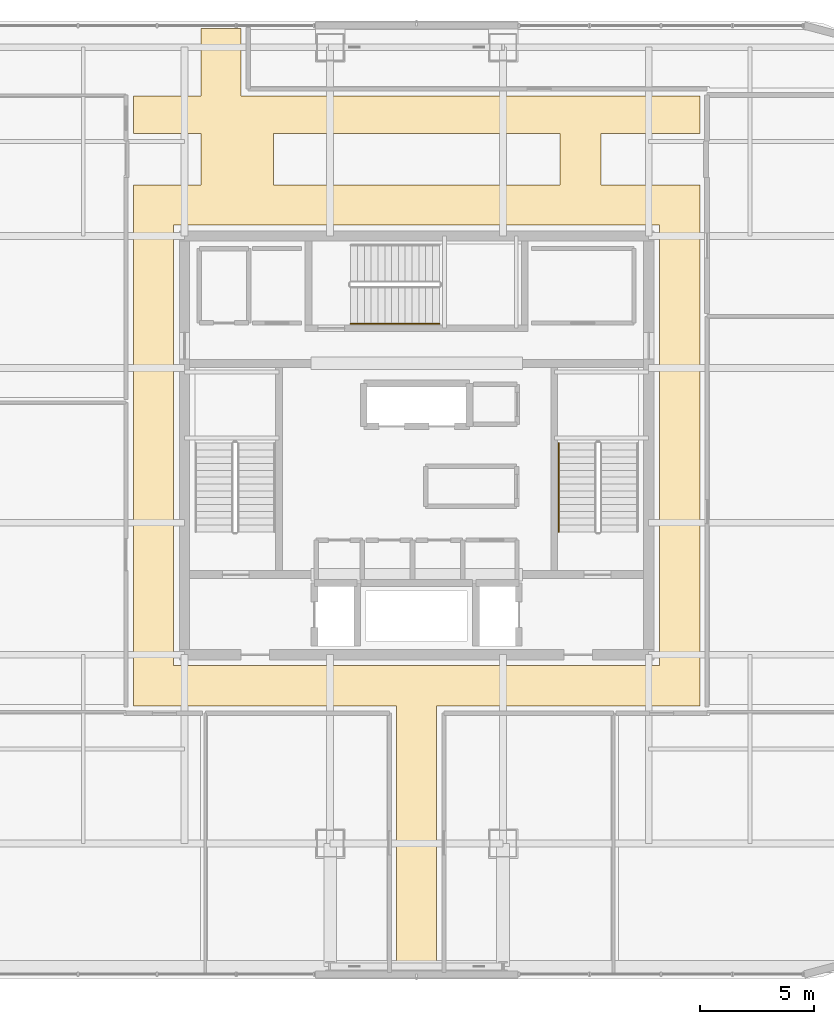
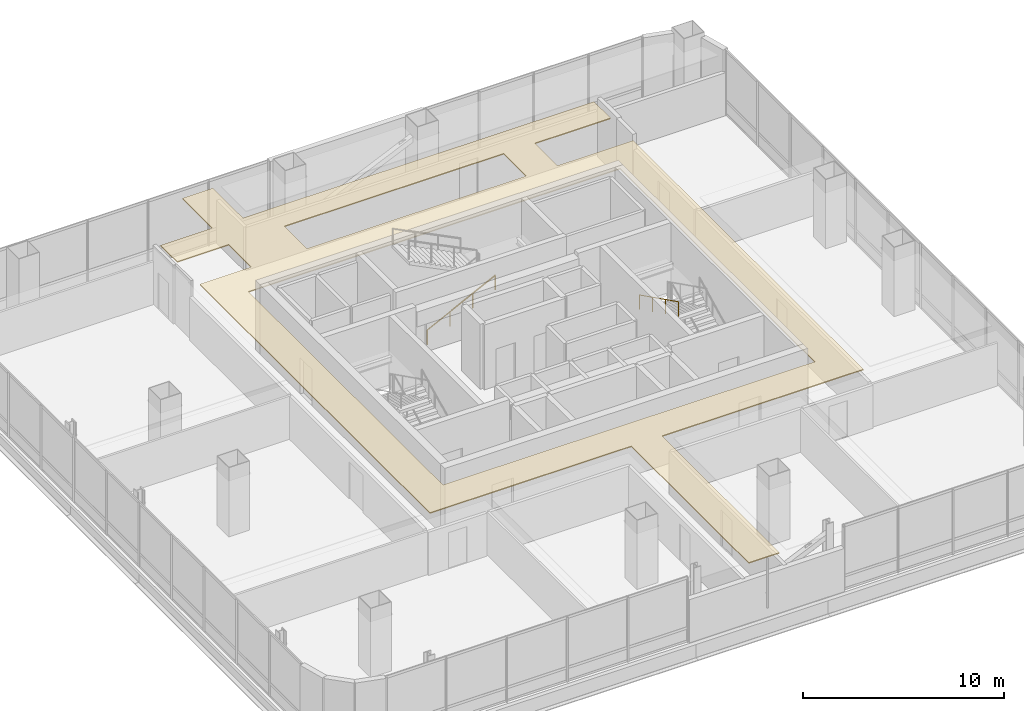
# One storey, part 42 of 46: 2 railings, 1 covering.
"""IFC4 building model written with IfcOpenShell, lengths in metres."""

import ifcopenshell
import ifcopenshell.guid

model = None  # the IFC model being written
_history = None  # IfcOwnerHistory: only IFC2X3 demands one
_inside = {}  # id of a spatial element -> (the spatial element, [elements in it])
_under = {}  # id of a project, library or spatial element -> (it, [spatial elements below it])
_declared = {}  # id of a project -> (the project, [libraries it declares])
_typed = {}  # id of a type object -> (the type object, [elements of that type])
_made_of = {}  # id of a material, layer set ... -> (it, [elements and type objects made of it])


def new_model(schema):
    """Start an empty IFC model of exactly this schema.

    Asked for "IFC4X3", IfcOpenShell would pick the latest addendum, in which some entities
    have other attributes; the version numbers below select the first issue.
    IFC2X3 requires an IfcOwnerHistory on every rooted entity: one is made here for all.
    """
    global model, _history
    if schema == "IFC4X3":
        model = ifcopenshell.file(schema_version=(4, 3, 0, 0))
    else:
        model = ifcopenshell.file(schema=schema)
    _inside.clear()
    _under.clear()
    _declared.clear()
    _typed.clear()
    _made_of.clear()
    _history = None
    if model.schema == "IFC2X3":
        org = make("IfcOrganization", Name="unknown")
        user = make(
            "IfcPersonAndOrganization",
            ThePerson=make("IfcPerson", FamilyName="unknown"),
            TheOrganization=org,
        )
        app = make(
            "IfcApplication",
            ApplicationDeveloper=org,
            Version="unknown",
            ApplicationFullName="unknown",
            ApplicationIdentifier="unknown",
        )
        _history = make(
            "IfcOwnerHistory",
            OwningUser=user,
            OwningApplication=app,
            ChangeAction="ADDED",
            CreationDate=0,
        )
    return model


def make(cls, **values):
    """One entity of the class cls with the attributes given. An attribute that is None is left unset."""
    return model.create_entity(
        cls, **{name: value for name, value in values.items() if value is not None}
    )


def rooted(cls, **values):
    """An entity with a GlobalId (a new one), such as an element, a storey or a relation."""
    return make(cls, GlobalId=ifcopenshell.guid.new(), OwnerHistory=_history, **values)


def si_unit(unit_type, name, prefix=None):
    """IfcSIUnit, for example si_unit("LENGTHUNIT", "METRE", prefix="MILLI")."""
    return make("IfcSIUnit", UnitType=unit_type, Prefix=prefix, Name=name)


def assignment(units):
    """IfcUnitAssignment: the units of a project."""
    return None if units is None else make("IfcUnitAssignment", Units=units)


def point(xyz):
    """IfcCartesianPoint."""
    return None if xyz is None else make("IfcCartesianPoint", Coordinates=xyz)


def direction(xyz):
    """IfcDirection."""
    return None if xyz is None else make("IfcDirection", DirectionRatios=xyz)


def frame(location, z_axis=None, x_axis=None):
    """IfcAxis2Placement3D, a coordinate frame: its origin and axes. An axis left out is left unset."""
    return make(
        "IfcAxis2Placement3D",
        Location=point(location),
        Axis=direction(z_axis),
        RefDirection=direction(x_axis),
    )


def frame_2d(location, x_axis=None):
    """IfcAxis2Placement2D, a coordinate frame in the plane: its origin and x axis."""
    return make(
        "IfcAxis2Placement2D", Location=point(location), RefDirection=direction(x_axis)
    )


def origin():
    """The frame at (0, 0, 0) with its axes left unset."""
    return frame((0.0, 0.0, 0.0))


def origin_2d():
    """The frame at (0, 0) in the plane with its x axis left unset."""
    return frame_2d((0.0, 0.0))


def place(relative_to, where):
    """IfcLocalPlacement: puts the frame where relative to a parent placement (None: the world)."""
    return make(
        "IfcLocalPlacement", PlacementRelTo=relative_to, RelativePlacement=where
    )


def context(
    kind, dimensions, precision=None, world=None, true_north=None, identifier=None
):
    """IfcGeometricRepresentationContext, for example the 3D "Model" context."""
    return make(
        "IfcGeometricRepresentationContext",
        ContextIdentifier=identifier,
        ContextType=kind,
        CoordinateSpaceDimension=dimensions,
        Precision=precision,
        WorldCoordinateSystem=world,
        TrueNorth=true_north,
    )


def subcontext(parent, identifier, kind, view, scale=None):
    """IfcGeometricRepresentationSubContext, for example "Body" below "Model"."""
    return make(
        "IfcGeometricRepresentationSubContext",
        ContextIdentifier=identifier,
        ContextType=kind,
        ParentContext=parent,
        TargetScale=scale,
        TargetView=view,
    )


def project(units=None, contexts=None):
    """IfcProject with its units and contexts."""
    return rooted(
        "IfcProject",
        Name="project",
        RepresentationContexts=contexts,
        UnitsInContext=assignment(units),
    )


def spatial(cls, under=None, at=None, **own):
    """A site, building, storey or space (cls), placed at a placement, below another one or the project."""
    s = rooted(cls, ObjectPlacement=at, **own)
    if under is not None:
        _under.setdefault(under.id(), (under, []))[1].append(s)
    return s


def polyline(points):
    """IfcPolyline through the points."""
    return make("IfcPolyline", Points=[point(p) for p in points])


def profile(cls, at=None, kind="AREA", **sizes):
    """A parametric profile (cls). Its sizes go by their IFC names, for example OverallWidth=200.0."""
    return make(cls, ProfileType=kind, Position=at, **sizes)


def circle(**sizes):
    """IfcCircleProfileDef."""
    return profile("IfcCircleProfileDef", **sizes)


def outline(outer, holes=None, kind="AREA"):
    """IfcArbitraryClosedProfileDef: a profile drawn as a closed curve; with holes, ...WithVoids."""
    if holes is None:
        return make("IfcArbitraryClosedProfileDef", ProfileType=kind, OuterCurve=outer)
    return make(
        "IfcArbitraryProfileDefWithVoids",
        ProfileType=kind,
        OuterCurve=outer,
        InnerCurves=holes,
    )


def extrude(swept, where, along, depth):
    """IfcExtrudedAreaSolid: the profile swept, set in the frame where, extruded along a direction by depth."""
    return make(
        "IfcExtrudedAreaSolid",
        SweptArea=swept,
        Position=where,
        ExtrudedDirection=direction(along),
        Depth=depth,
    )


def shape(context_of_items, identifier, shape_type, items):
    """IfcShapeRepresentation: the items that make up one representation, for example the "Body"."""
    return make(
        "IfcShapeRepresentation",
        ContextOfItems=context_of_items,
        RepresentationIdentifier=identifier,
        RepresentationType=shape_type,
        Items=items,
    )


def material(Name=None, Category=None):
    """IfcMaterial."""
    return make("IfcMaterial", Name=Name, Category=Category)


def layer(
    of_material, thickness, ventilated=None, Name=None, Category=None, Priority=None
):
    """IfcMaterialLayer: one layer of a wall or slab, of a material (None: an air gap)."""
    return make(
        "IfcMaterialLayer",
        Material=of_material,
        LayerThickness=thickness,
        IsVentilated=ventilated,
        Name=Name,
        Category=Category,
        Priority=Priority,
    )


def layer_set(layers, Name=None):
    """IfcMaterialLayerSet."""
    return make("IfcMaterialLayerSet", MaterialLayers=layers, LayerSetName=Name)


def made_of(thing, what):
    """Note that an element or type object is made of a material, layer set ...; save() writes the relation."""
    if what is not None:
        _made_of.setdefault(what.id(), (what, []))[1].append(thing)
    return thing


def type_object(cls, material=None, **own):
    """A type object (cls), such as IfcWallType, which elements share."""
    return made_of(rooted(cls, **own), material)


def element(
    cls,
    number,
    at=None,
    inside=None,
    cuts=None,
    type_object=None,
    material=None,
    context=None,
    identifier="Body",
    shape_type=None,
    held_by="IfcProductDefinitionShape",
    body=None,
    shapes=None,
    **own,
):
    """One element of the class cls, such as IfcWall. Its Tag is "e" and its number.

    at: its placement. inside: the storey or other place that contains it. cuts: it is an
    opening in that element (IfcRelVoidsElement). A single representation is given by context,
    identifier, shape_type and body (its items); several are given by shapes. held_by: the class
    of the entity that holds the representations. save() writes the other relations.
    """
    e = rooted(cls, Tag="e%d" % number, ObjectPlacement=at, **own)
    if body is not None:
        shapes = [shape(context, identifier, shape_type, body)]
    if shapes is not None:
        e.Representation = make(held_by, Representations=shapes)
    if inside is not None:
        _inside.setdefault(inside.id(), (inside, []))[1].append(e)
    if cuts is not None:
        rooted(
            "IfcRelVoidsElement", RelatingBuildingElement=cuts, RelatedOpeningElement=e
        )
    if type_object is not None:
        _typed.setdefault(type_object.id(), (type_object, []))[1].append(e)
    return made_of(e, material)


def aggregate(whole, parts):
    """IfcRelAggregates: a whole, such as a stair, and the parts it consists of."""
    return rooted("IfcRelAggregates", RelatingObject=whole, RelatedObjects=parts)


def save(model, path):
    """Write the relations noted so far, then the file.

    IfcRelAggregates (storeys below a building ...), IfcRelContainedInSpatialStructure (elements
    in a storey), IfcRelDefinesByType, IfcRelAssociatesMaterial and IfcRelDeclares: one each for
    every whole, place, type object, material and project.
    """
    for whole, parts in _under.values():
        aggregate(whole, parts)
    for where, things in _inside.values():
        rooted(
            "IfcRelContainedInSpatialStructure",
            RelatedElements=things,
            RelatingStructure=where,
        )
    for kind, things in _typed.values():
        rooted("IfcRelDefinesByType", RelatedObjects=things, RelatingType=kind)
    for what, things in _made_of.values():
        rooted("IfcRelAssociatesMaterial", RelatedObjects=things, RelatingMaterial=what)
    for by, libraries in _declared.values():
        rooted("IfcRelDeclares", RelatingContext=by, RelatedDefinitions=libraries)
    model.write(path)


model = new_model("IFC4")

# Units and contexts
model_context = context("Model", 3, precision=1e-05, world=origin(), true_north=direction((0.0, 1.0)))
body_context = subcontext(model_context, "Body", "Model", "MODEL_VIEW")
ifc_project = project(units=[si_unit("LENGTHUNIT", "METRE"), si_unit("AREAUNIT", "SQUARE_METRE"), si_unit("VOLUMEUNIT", "CUBIC_METRE"), si_unit("PLANEANGLEUNIT", "RADIAN"), si_unit("MASSUNIT", "GRAM", prefix="KILO")], contexts=[model_context])

# Site, building, storey
site_placement = place(None, origin())
site = spatial("IfcSite", under=ifc_project, at=site_placement, CompositionType="ELEMENT")
building_placement = place(site_placement, origin())
building = spatial("IfcBuilding", under=site, at=building_placement, Name="Punatoya Terracotta Tower", CompositionType="ELEMENT")
storey_placement = place(building_placement, frame((0.0, 0.0, 330.0)))
storey = spatial("IfcBuildingStorey", under=building, at=storey_placement, Name="L78", CompositionType="ELEMENT", Elevation=330.0)

# Covering
ifc_material_1 = material(Name="Acoustic Mineral Fibre Ceiling")
ifc_layer = layer(ifc_material_1, 0.06005859375)
ifc_layer_set = layer_set([ifc_layer], Name="Acoustic Mineral Fibre Ceiling")
covering_type = type_object("IfcCoveringType", Name="COV-CEIL-60", PredefinedType="CEILING", material=ifc_layer_set)
covering_placement = place(storey_placement, frame((0.0, 0.0, 3.389892578125)))
element("IfcCovering", 1, at=covering_placement, inside=storey, type_object=covering_type, Name="L78 Executive Circulation Corridor Acoustic Ceiling", PredefinedType="CEILING", context=body_context, shape_type="SweptSolid", body=[
    extrude(outline(polyline([(-0.8798828125, -11.449951171875), (-0.8798828125, -23.1298828125), (0.8798828125, -23.1298828125), (0.8798828125, -11.449951171875), (12.449951171875, -11.449951171875), (12.449951171875, 11.449951171875), (8.10009765625, 11.449951171875), (8.10009765625, 13.699951171875), (12.449951171875, 13.699951171875), (12.449951171875, 15.35009765625), (-7.719970703125, 15.35009765625), (-7.719970703125, 18.330078125), (-9.47998046875, 18.330078125), (-9.47998046875, 15.35009765625), (-12.449951171875, 15.35009765625), (-12.449951171875, 13.699951171875), (-9.47998046875, 13.699951171875), (-9.47998046875, 11.449951171875), (-12.449951171875, 11.449951171875), (-12.449951171875, -11.449951171875), (-0.8798828125, -11.449951171875)]), holes=[polyline([(10.679931640625, 9.679931640625), (10.679931640625, -9.679931640625), (-10.679931640625, -9.679931640625), (-10.679931640625, 9.679931640625), (10.679931640625, 9.679931640625)]), polyline([(6.300048828125, 11.449951171875), (-6.300048828125, 11.449951171875), (-6.300048828125, 13.699951171875), (6.300048828125, 13.699951171875), (6.300048828125, 11.449951171875)])]), origin(), (0.0, 0.0, 1.0), 0.06005859375),
])

# Railings
ifc_material_2 = material(Name="Steel S355", Category="steel")
railing_type = type_object("IfcRailingType", Name="RLG-HND-900", PredefinedType="HANDRAIL", material=ifc_material_2)
railing_1_placement = place(storey_placement, frame((6.25, 0.10009765625, 2.25)))
element("IfcRailing", 2, at=railing_1_placement, inside=storey, type_object=railing_type, Name="L78 ST-2 stair handrail 2", PredefinedType="HANDRAIL", context=body_context, shape_type="SweptSolid", body=[
    extrude(circle(Radius=0.02392578125, at=origin_2d()), frame((0.0, 0.0, 0.8759765625), z_axis=(0.0, -0.894438388696, 0.447191199406), x_axis=(1.0, 0.0, 0.0)), (0.0, 0.0, 1.0), 4.3603515625),
    extrude(circle(Radius=0.02099609375, at=origin_2d()), origin(), (0.0, 0.0, 1.0), 0.851806640625),
    extrude(circle(Radius=0.02099609375, at=origin_2d()), frame((0.0, -1.300048828125, 0.64990234375)), (0.0, 0.0, 1.0), 0.851806640625),
    extrude(circle(Radius=0.02099609375, at=origin_2d()), frame((0.0, -2.60009765625, 1.300048828125)), (0.0, 0.0, 1.0), 0.851806640625),
    extrude(circle(Radius=0.02099609375, at=origin_2d()), frame((0.0, -3.900146484375, 1.949951171875)), (0.0, 0.0, 1.0), 0.851806640625),
])
railing_2_placement = place(storey_placement, frame((-2.89990234375, 5.35009765625, 0.14990234375)))
element("IfcRailing", 3, at=railing_2_placement, inside=storey, type_object=railing_type, Name="L78 ST-3 stair handrail 1", PredefinedType="HANDRAIL", context=body_context, shape_type="SweptSolid", body=[
    extrude(circle(Radius=0.02392578125, at=origin_2d()), frame((0.0, 0.0, 0.8759765625), z_axis=(0.894404793364, 0.0, 0.447258387967), x_axis=(0.0, 1.0, 0.0)), (0.0, 0.0, 1.0), 4.3603515625),
    extrude(circle(Radius=0.02099609375, at=origin_2d()), origin(), (0.0, 0.0, 1.0), 0.851806640625),
    extrude(circle(Radius=0.02099609375, at=origin_2d()), frame((1.300048828125, 0.0, 0.650146484375)), (0.0, 0.0, 1.0), 0.851806640625),
    extrude(circle(Radius=0.02099609375, at=origin_2d()), frame((2.599853515625, 0.0, 1.300048828125)), (0.0, 0.0, 1.0), 0.851806640625),
    extrude(circle(Radius=0.02099609375, at=origin_2d()), frame((3.89990234375, 0.0, 1.9501953125)), (0.0, 0.0, 1.0), 0.851806640625),
])

save(model, "model.ifc")
